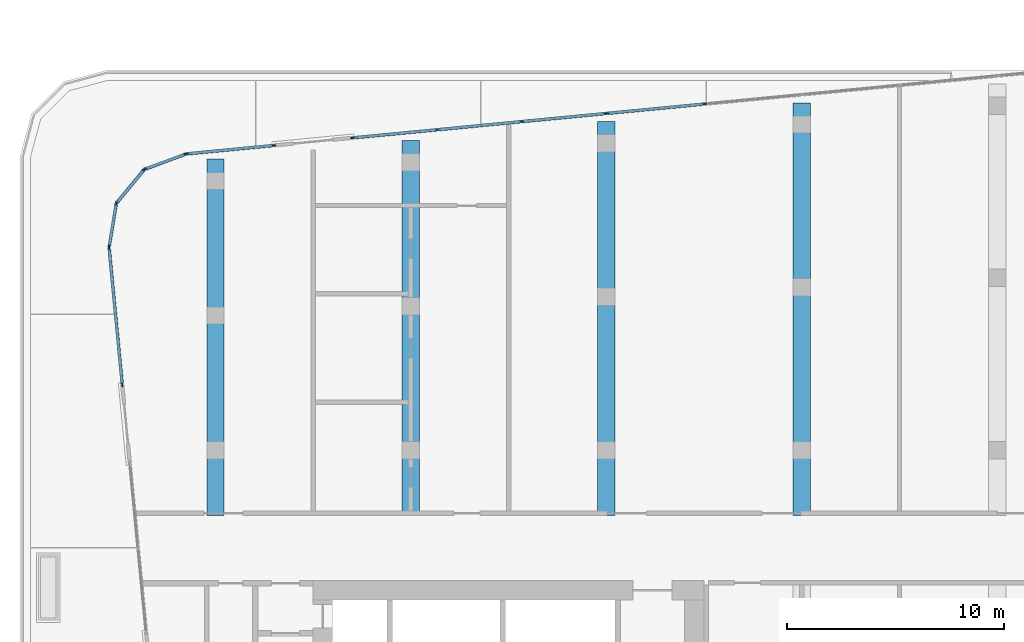
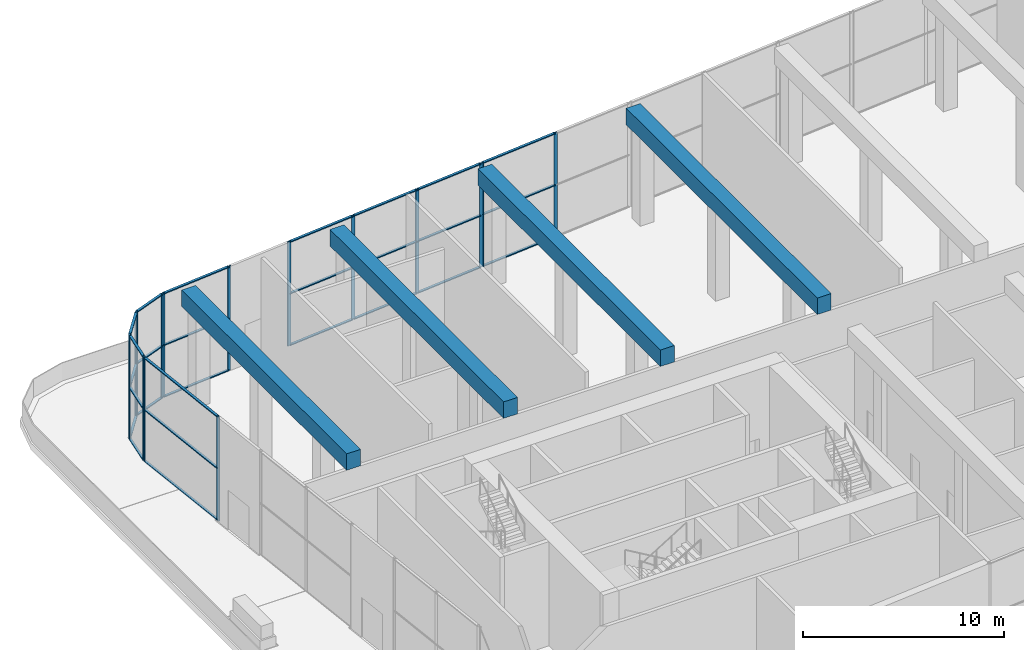
# One storey, part 5 of 25: 43 members, 4 beams, 7 elements without a shape of their own.
"""IFC4 building model written with IfcOpenShell, lengths in metres."""

from ifc_helpers import new_model, si_unit, direction, frame, origin, origin_2d, place, context, subcontext, project, spatial, rectangle, extrude, material, material_profile, profile_set, type_object, element, aggregate, save


model = new_model("IFC4")

# Units and contexts
model_context = context("Model", 3, precision=1e-05, world=origin(), true_north=direction((0.0, 1.0)))
body_context = subcontext(model_context, "Body", "Model", "MODEL_VIEW")
ifc_project = project(units=[si_unit("LENGTHUNIT", "METRE"), si_unit("AREAUNIT", "SQUARE_METRE"), si_unit("VOLUMEUNIT", "CUBIC_METRE"), si_unit("PLANEANGLEUNIT", "RADIAN"), si_unit("MASSUNIT", "GRAM", prefix="KILO")], contexts=[model_context])

# Site, building, storey
site_placement = place(None, origin())
site = spatial("IfcSite", under=ifc_project, at=site_placement, CompositionType="ELEMENT")
building_placement = place(site_placement, origin())
building = spatial("IfcBuilding", under=site, at=building_placement, Name="Kajstack Hotel Tower", CompositionType="ELEMENT")
storey_placement = place(building_placement, frame((0.0, 0.0, 104.199951171875)))
storey = spatial("IfcBuildingStorey", under=building, at=storey_placement, Name="L22", CompositionType="ELEMENT", Elevation=104.199951171875)

# Curtain wall, members
ifc_material_1 = material(Name="Aluminium-framed curtain wall, low-iron insulated glass", Category="aluminium")
curtain_wall_type = type_object("IfcCurtainWallType", Name="CW-GARDEN", PredefinedType="NOTDEFINED", material=ifc_material_1)
curtain_wall_1_placement = place(storey_placement, origin())
curtain_wall_1 = element("IfcCurtainWall", 1, at=curtain_wall_1_placement, inside=storey, type_object=curtain_wall_type, Name="Curtain wall CU6 L22-00-00-0", PredefinedType="NOTDEFINED")
ifc_material_2 = material(Name="Aluminium", Category="aluminium")
ifc_material_profile_1 = material_profile(ifc_material_2, rectangle(XDim=0.06005859375, YDim=0.199951171875, at=origin_2d()), Name="Aluminium mullion 60 x 200")
ifc_profile_set_1 = profile_set([ifc_material_profile_1], Name="Aluminium")
member_type_1 = type_object("IfcMemberType", Name="CW-M-GARDEN", PredefinedType="MULLION", material=ifc_profile_set_1)
member_1_placement = place(storey_placement, frame((-40.8994140625, 13.827392578125, 0.0), z_axis=(0.0, 0.0, 1.0), x_axis=(0.99539618336, 0.095845908373, 0.0)))
member_1 = element("IfcMember", 2, at=member_1_placement, type_object=member_type_1, Name="CU6 mullion 1", PredefinedType="MULLION", context=body_context, shape_type="SweptSolid", body=[
    extrude(rectangle(XDim=0.06005859375, YDim=0.199951171875, at=origin_2d()), origin(), (0.0, 0.0, 1.0), 6.320068359375),
])
member_2_placement = place(storey_placement, frame((-40.29296875, 7.52880859375, 0.0), z_axis=(0.0, 0.0, 1.0), x_axis=(0.99539618336, 0.095845908373, 0.0)))
member_2 = element("IfcMember", 3, at=member_2_placement, type_object=member_type_1, Name="CU6 mullion 2", PredefinedType="MULLION", context=body_context, shape_type="SweptSolid", body=[
    extrude(rectangle(XDim=0.06005859375, YDim=0.199951171875, at=origin_2d()), origin(), (0.0, 0.0, 1.0), 6.320068359375),
])

curtain_wall_2_placement = place(storey_placement, origin())
curtain_wall_2 = element("IfcCurtainWall", 4, at=curtain_wall_2_placement, inside=storey, type_object=curtain_wall_type, Name="Curtain wall CU6 L22-12-02-2", PredefinedType="NOTDEFINED")
member_3_placement = place(storey_placement, frame((-13.492919921875, 20.439697265625, 0.0), z_axis=(0.0, 0.0, 1.0), x_axis=(0.095845581657, -0.995396214819, 0.0)))
member_3 = element("IfcMember", 5, at=member_3_placement, type_object=member_type_1, Name="CU6 mullion 2", PredefinedType="MULLION", context=body_context, shape_type="SweptSolid", body=[
    extrude(rectangle(XDim=0.06005859375, YDim=0.199951171875, at=origin_2d()), origin(), (0.0, 0.0, 1.0), 6.320068359375),
])
member_4_placement = place(storey_placement, frame((-17.962890625, 20.00927734375, 0.0), z_axis=(0.0, 0.0, 1.0), x_axis=(0.095845581657, -0.995396214819, 0.0)))
member_4 = element("IfcMember", 6, at=member_4_placement, type_object=member_type_1, Name="CU6 mullion 3", PredefinedType="MULLION", context=body_context, shape_type="SweptSolid", body=[
    extrude(rectangle(XDim=0.06005859375, YDim=0.199951171875, at=origin_2d()), origin(), (0.0, 0.0, 1.0), 6.320068359375),
])

curtain_wall_3_placement = place(storey_placement, origin())
curtain_wall_3 = element("IfcCurtainWall", 7, at=curtain_wall_3_placement, inside=storey, type_object=curtain_wall_type, Name="Curtain wall CU6 L22-12-02-3", PredefinedType="NOTDEFINED")
member_5_placement = place(storey_placement, frame((-18.022705078125, 20.00341796875, 0.0), z_axis=(0.0, 0.0, 1.0), x_axis=(0.095845579329, -0.995396215044, 0.0)))
member_5 = element("IfcMember", 8, at=member_5_placement, type_object=member_type_1, Name="CU6 mullion 1", PredefinedType="MULLION", context=body_context, shape_type="SweptSolid", body=[
    extrude(rectangle(XDim=0.06005859375, YDim=0.199951171875, at=origin_2d()), origin(), (0.0, 0.0, 1.0), 6.320068359375),
])
member_6_placement = place(storey_placement, frame((-21.8955078125, 19.630615234375, 0.0), z_axis=(0.0, 0.0, 1.0), x_axis=(0.095845579329, -0.995396215044, 0.0)))
member_6 = element("IfcMember", 9, at=member_6_placement, type_object=member_type_1, Name="CU6 mullion 2", PredefinedType="MULLION", context=body_context, shape_type="SweptSolid", body=[
    extrude(rectangle(XDim=0.06005859375, YDim=0.199951171875, at=origin_2d()), origin(), (0.0, 0.0, 1.0), 6.320068359375),
])
member_7_placement = place(storey_placement, frame((-25.79833984375, 19.2548828125, 0.0), z_axis=(0.0, 0.0, 1.0), x_axis=(0.095845579329, -0.995396215044, 0.0)))
member_7 = element("IfcMember", 10, at=member_7_placement, type_object=member_type_1, Name="CU6 mullion 3", PredefinedType="MULLION", context=body_context, shape_type="SweptSolid", body=[
    extrude(rectangle(XDim=0.06005859375, YDim=0.199951171875, at=origin_2d()), origin(), (0.0, 0.0, 1.0), 6.320068359375),
])
member_8_placement = place(storey_placement, frame((-29.671142578125, 18.8818359375, 0.0), z_axis=(0.0, 0.0, 1.0), x_axis=(0.095845579329, -0.995396215044, 0.0)))
member_8 = element("IfcMember", 11, at=member_8_placement, type_object=member_type_1, Name="CU6 mullion 4", PredefinedType="MULLION", context=body_context, shape_type="SweptSolid", body=[
    extrude(rectangle(XDim=0.06005859375, YDim=0.199951171875, at=origin_2d()), origin(), (0.0, 0.0, 1.0), 6.320068359375),
])

curtain_wall_4_placement = place(storey_placement, origin())
curtain_wall_4 = element("IfcCurtainWall", 12, at=curtain_wall_4_placement, inside=storey, type_object=curtain_wall_type, Name="Curtain wall CU6 L22-12-04-0", PredefinedType="NOTDEFINED")
member_9_placement = place(storey_placement, frame((-33.314453125, 18.531005859375, 0.0), z_axis=(0.0, 0.0, 1.0), x_axis=(0.095845588433, -0.995396214167, 0.0)))
member_9 = element("IfcMember", 13, at=member_9_placement, type_object=member_type_1, Name="CU6 mullion 1", PredefinedType="MULLION", context=body_context, shape_type="SweptSolid", body=[
    extrude(rectangle(XDim=0.06005859375, YDim=0.199951171875, at=origin_2d()), origin(), (0.0, 0.0, 1.0), 6.320068359375),
])
member_10_placement = place(storey_placement, frame((-37.341796875, 18.143310546875, 0.0), z_axis=(0.0, 0.0, 1.0), x_axis=(0.095845588433, -0.995396214167, 0.0)))
member_10 = element("IfcMember", 14, at=member_10_placement, type_object=member_type_1, Name="CU6 mullion 2", PredefinedType="MULLION", context=body_context, shape_type="SweptSolid", body=[
    extrude(rectangle(XDim=0.06005859375, YDim=0.199951171875, at=origin_2d()), origin(), (0.0, 0.0, 1.0), 6.320068359375),
])

curtain_wall_5_placement = place(storey_placement, origin())
curtain_wall_5 = element("IfcCurtainWall", 15, at=curtain_wall_5_placement, inside=storey, type_object=curtain_wall_type, Name="Curtain wall CU6 L22-13-00-0", PredefinedType="NOTDEFINED")
member_11_placement = place(storey_placement, frame((-37.380615234375, 18.13427734375, 0.0), z_axis=(0.0, 0.0, 1.0), x_axis=(0.350186476689, -0.936680004881, 0.0)))
member_11 = element("IfcMember", 16, at=member_11_placement, type_object=member_type_1, Name="CU6 mullion 1", PredefinedType="MULLION", context=body_context, shape_type="SweptSolid", body=[
    extrude(rectangle(XDim=0.06005859375, YDim=0.199951171875, at=origin_2d()), origin(), (0.0, 0.0, 1.0), 6.320068359375),
])
member_12_placement = place(storey_placement, frame((-39.263916015625, 17.43017578125, 0.0), z_axis=(0.0, 0.0, 1.0), x_axis=(0.350186476689, -0.936680004881, 0.0)))
member_12 = element("IfcMember", 17, at=member_12_placement, type_object=member_type_1, Name="CU6 mullion 2", PredefinedType="MULLION", context=body_context, shape_type="SweptSolid", body=[
    extrude(rectangle(XDim=0.06005859375, YDim=0.199951171875, at=origin_2d()), origin(), (0.0, 0.0, 1.0), 6.320068359375),
])

curtain_wall_6_placement = place(storey_placement, origin())
curtain_wall_6 = element("IfcCurtainWall", 18, at=curtain_wall_6_placement, inside=storey, type_object=curtain_wall_type, Name="Curtain wall CU6 L22-14-00-0", PredefinedType="NOTDEFINED")
member_13_placement = place(storey_placement, frame((-39.279541015625, 17.419189453125, 0.0), z_axis=(0.0, 0.0, 1.0), x_axis=(0.771634596978, -0.636066072627, 0.0)))
member_13 = element("IfcMember", 19, at=member_13_placement, type_object=member_type_1, Name="CU6 mullion 1", PredefinedType="MULLION", context=body_context, shape_type="SweptSolid", body=[
    extrude(rectangle(XDim=0.06005859375, YDim=0.199951171875, at=origin_2d()), origin(), (0.0, 0.0, 1.0), 6.320068359375),
])
member_14_placement = place(storey_placement, frame((-40.558349609375, 15.86767578125, 0.0), z_axis=(0.0, 0.0, 1.0), x_axis=(0.771634596978, -0.636066072627, 0.0)))
member_14 = element("IfcMember", 20, at=member_14_placement, type_object=member_type_1, Name="CU6 mullion 2", PredefinedType="MULLION", context=body_context, shape_type="SweptSolid", body=[
    extrude(rectangle(XDim=0.06005859375, YDim=0.199951171875, at=origin_2d()), origin(), (0.0, 0.0, 1.0), 6.320068359375),
])

curtain_wall_7_placement = place(storey_placement, origin())
curtain_wall_7 = element("IfcCurtainWall", 21, at=curtain_wall_7_placement, inside=storey, type_object=curtain_wall_type, Name="Curtain wall CU6 L22-15-00-0", PredefinedType="NOTDEFINED")
member_15_placement = place(storey_placement, frame((-40.566162109375, 15.850341796875, 0.0), z_axis=(0.0, 0.0, 1.0), x_axis=(0.986289302298, -0.165025489464, 0.0)))
member_15 = element("IfcMember", 22, at=member_15_placement, type_object=member_type_1, Name="CU6 mullion 1", PredefinedType="MULLION", context=body_context, shape_type="SweptSolid", body=[
    extrude(rectangle(XDim=0.06005859375, YDim=0.199951171875, at=origin_2d()), origin(), (0.0, 0.0, 1.0), 6.320068359375),
])
member_16_placement = place(storey_placement, frame((-40.898193359375, 13.867431640625, 0.0), z_axis=(0.0, 0.0, 1.0), x_axis=(0.986289302298, -0.165025489464, 0.0)))
member_16 = element("IfcMember", 23, at=member_16_placement, type_object=member_type_1, Name="CU6 mullion 2", PredefinedType="MULLION", context=body_context, shape_type="SweptSolid", body=[
    extrude(rectangle(XDim=0.06005859375, YDim=0.199951171875, at=origin_2d()), origin(), (0.0, 0.0, 1.0), 6.320068359375),
])

# Member
ifc_material_profile_2 = material_profile(ifc_material_2, rectangle(XDim=0.139892578125, YDim=0.06005859375, at=origin_2d()), Name="Aluminium transom 140 x 60")
ifc_profile_set_2 = profile_set([ifc_material_profile_2], Name="Aluminium")
member_type_2 = type_object("IfcMemberType", Name="CW-T-GARDEN", PredefinedType="USERDEFINED", material=ifc_profile_set_2)
member_17_placement = place(storey_placement, frame((-40.896484375, 13.797607421875, 0.030029296875), z_axis=(0.095820025093, -0.995398675301, 0.0), x_axis=(0.995398675301, 0.095820025093, 0.0)))
member_17 = element("IfcMember", 24, at=member_17_placement, type_object=member_type_2, Name="CU6 transom 1.1", ObjectType="TRANSOM", PredefinedType="USERDEFINED", context=body_context, shape_type="SweptSolid", body=[
    extrude(rectangle(XDim=0.139892578125, YDim=0.06005859375, at=origin_2d()), origin(), (0.0, 0.0, 1.0), 6.267822265625),
])

member_18_placement = place(storey_placement, frame((-40.896484375, 13.797607421875, 3.16015625), z_axis=(0.095820025093, -0.995398675301, 0.0), x_axis=(0.995398675301, 0.095820025093, 0.0)))
member_18 = element("IfcMember", 25, at=member_18_placement, type_object=member_type_2, Name="CU6 transom 1.2", ObjectType="TRANSOM", PredefinedType="USERDEFINED", context=body_context, shape_type="SweptSolid", body=[
    extrude(rectangle(XDim=0.139892578125, YDim=0.06005859375, at=origin_2d()), origin(), (0.0, 0.0, 1.0), 6.267822265625),
])

member_19_placement = place(storey_placement, frame((-40.896484375, 13.797607421875, 6.2900390625), z_axis=(0.095820025093, -0.995398675301, 0.0), x_axis=(0.995398675301, 0.095820025093, 0.0)))
member_19 = element("IfcMember", 26, at=member_19_placement, type_object=member_type_2, Name="CU6 transom 1.3", ObjectType="TRANSOM", PredefinedType="USERDEFINED", context=body_context, shape_type="SweptSolid", body=[
    extrude(rectangle(XDim=0.139892578125, YDim=0.06005859375, at=origin_2d()), origin(), (0.0, 0.0, 1.0), 6.267822265625),
])

aggregate(curtain_wall_1, [member_1, member_2, member_17, member_18, member_19])

member_20_placement = place(storey_placement, frame((-13.522705078125, 20.436767578125, 0.030029296875), z_axis=(-0.995398624916, -0.095820548504, 0.0), x_axis=(0.095820548504, -0.995398624916, 0.0)))
member_20 = element("IfcMember", 27, at=member_20_placement, type_object=member_type_2, Name="CU6 transom 2.1", ObjectType="TRANSOM", PredefinedType="USERDEFINED", context=body_context, shape_type="SweptSolid", body=[
    extrude(rectangle(XDim=0.139892578125, YDim=0.06005859375, at=origin_2d()), origin(), (0.0, 0.0, 1.0), 4.430908203125),
])

member_21_placement = place(storey_placement, frame((-13.522705078125, 20.436767578125, 3.16015625), z_axis=(-0.995398624916, -0.095820548504, 0.0), x_axis=(0.095820548504, -0.995398624916, 0.0)))
member_21 = element("IfcMember", 28, at=member_21_placement, type_object=member_type_2, Name="CU6 transom 2.2", ObjectType="TRANSOM", PredefinedType="USERDEFINED", context=body_context, shape_type="SweptSolid", body=[
    extrude(rectangle(XDim=0.139892578125, YDim=0.06005859375, at=origin_2d()), origin(), (0.0, 0.0, 1.0), 4.430908203125),
])

member_22_placement = place(storey_placement, frame((-13.522705078125, 20.436767578125, 6.2900390625), z_axis=(-0.995398624916, -0.095820548504, 0.0), x_axis=(0.095820548504, -0.995398624916, 0.0)))
member_22 = element("IfcMember", 29, at=member_22_placement, type_object=member_type_2, Name="CU6 transom 2.3", ObjectType="TRANSOM", PredefinedType="USERDEFINED", context=body_context, shape_type="SweptSolid", body=[
    extrude(rectangle(XDim=0.139892578125, YDim=0.06005859375, at=origin_2d()), origin(), (0.0, 0.0, 1.0), 4.430908203125),
])

aggregate(curtain_wall_2, [member_3, member_4, member_20, member_21, member_22])

member_23_placement = place(storey_placement, frame((-18.052490234375, 20.000732421875, 0.030029296875), z_axis=(-0.995395825307, -0.095849626817, 0.0), x_axis=(0.095849626817, -0.995395825307, 0.0)))
member_23 = element("IfcMember", 30, at=member_23_placement, type_object=member_type_2, Name="CU6 transom 1.1", ObjectType="TRANSOM", PredefinedType="USERDEFINED", context=body_context, shape_type="SweptSolid", body=[
    extrude(rectangle(XDim=0.139892578125, YDim=0.06005859375, at=origin_2d()), origin(), (0.0, 0.0, 1.0), 3.830810546875),
])

member_24_placement = place(storey_placement, frame((-18.052490234375, 20.000732421875, 3.16015625), z_axis=(-0.995395825307, -0.095849626817, 0.0), x_axis=(0.095849626817, -0.995395825307, 0.0)))
member_24 = element("IfcMember", 31, at=member_24_placement, type_object=member_type_2, Name="CU6 transom 1.2", ObjectType="TRANSOM", PredefinedType="USERDEFINED", context=body_context, shape_type="SweptSolid", body=[
    extrude(rectangle(XDim=0.139892578125, YDim=0.06005859375, at=origin_2d()), origin(), (0.0, 0.0, 1.0), 3.830810546875),
])

member_25_placement = place(storey_placement, frame((-18.052490234375, 20.000732421875, 6.2900390625), z_axis=(-0.995395825307, -0.095849626817, 0.0), x_axis=(0.095849626817, -0.995395825307, 0.0)))
member_25 = element("IfcMember", 32, at=member_25_placement, type_object=member_type_2, Name="CU6 transom 1.3", ObjectType="TRANSOM", PredefinedType="USERDEFINED", context=body_context, shape_type="SweptSolid", body=[
    extrude(rectangle(XDim=0.139892578125, YDim=0.06005859375, at=origin_2d()), origin(), (0.0, 0.0, 1.0), 3.830810546875),
])

member_26_placement = place(storey_placement, frame((-21.925537109375, 19.627685546875, 0.030029296875), z_axis=(-0.99540033553, -0.095802776719, 0.0), x_axis=(0.095802776719, -0.99540033553, 0.0)))
member_26 = element("IfcMember", 33, at=member_26_placement, type_object=member_type_2, Name="CU6 transom 2.1", ObjectType="TRANSOM", PredefinedType="USERDEFINED", context=body_context, shape_type="SweptSolid", body=[
    extrude(rectangle(XDim=0.139892578125, YDim=0.06005859375, at=origin_2d()), origin(), (0.0, 0.0, 1.0), 3.86083984375),
])

member_27_placement = place(storey_placement, frame((-21.925537109375, 19.627685546875, 3.16015625), z_axis=(-0.99540033553, -0.095802776719, 0.0), x_axis=(0.095802776719, -0.99540033553, 0.0)))
member_27 = element("IfcMember", 34, at=member_27_placement, type_object=member_type_2, Name="CU6 transom 2.2", ObjectType="TRANSOM", PredefinedType="USERDEFINED", context=body_context, shape_type="SweptSolid", body=[
    extrude(rectangle(XDim=0.139892578125, YDim=0.06005859375, at=origin_2d()), origin(), (0.0, 0.0, 1.0), 3.86083984375),
])

member_28_placement = place(storey_placement, frame((-21.925537109375, 19.627685546875, 6.2900390625), z_axis=(-0.99540033553, -0.095802776719, 0.0), x_axis=(0.095802776719, -0.99540033553, 0.0)))
member_28 = element("IfcMember", 35, at=member_28_placement, type_object=member_type_2, Name="CU6 transom 2.3", ObjectType="TRANSOM", PredefinedType="USERDEFINED", context=body_context, shape_type="SweptSolid", body=[
    extrude(rectangle(XDim=0.139892578125, YDim=0.06005859375, at=origin_2d()), origin(), (0.0, 0.0, 1.0), 3.86083984375),
])

member_29_placement = place(storey_placement, frame((-25.828125, 19.251953125, 0.030029296875), z_axis=(-0.995395825307, -0.095849626817, 0.0), x_axis=(0.095849626817, -0.995395825307, 0.0)))
member_29 = element("IfcMember", 36, at=member_29_placement, type_object=member_type_2, Name="CU6 transom 3.1", ObjectType="TRANSOM", PredefinedType="USERDEFINED", context=body_context, shape_type="SweptSolid", body=[
    extrude(rectangle(XDim=0.139892578125, YDim=0.06005859375, at=origin_2d()), origin(), (0.0, 0.0, 1.0), 3.830810546875),
])

member_30_placement = place(storey_placement, frame((-25.828125, 19.251953125, 3.16015625), z_axis=(-0.995395825307, -0.095849626817, 0.0), x_axis=(0.095849626817, -0.995395825307, 0.0)))
member_30 = element("IfcMember", 37, at=member_30_placement, type_object=member_type_2, Name="CU6 transom 3.2", ObjectType="TRANSOM", PredefinedType="USERDEFINED", context=body_context, shape_type="SweptSolid", body=[
    extrude(rectangle(XDim=0.139892578125, YDim=0.06005859375, at=origin_2d()), origin(), (0.0, 0.0, 1.0), 3.830810546875),
])

member_31_placement = place(storey_placement, frame((-25.828125, 19.251953125, 6.2900390625), z_axis=(-0.995395825307, -0.095849626817, 0.0), x_axis=(0.095849626817, -0.995395825307, 0.0)))
member_31 = element("IfcMember", 38, at=member_31_placement, type_object=member_type_2, Name="CU6 transom 3.3", ObjectType="TRANSOM", PredefinedType="USERDEFINED", context=body_context, shape_type="SweptSolid", body=[
    extrude(rectangle(XDim=0.139892578125, YDim=0.06005859375, at=origin_2d()), origin(), (0.0, 0.0, 1.0), 3.830810546875),
])

aggregate(curtain_wall_3, [member_5, member_6, member_7, member_8, member_23, member_24, member_25, member_26, member_27, member_28, member_29, member_30, member_31])

member_32_placement = place(storey_placement, frame((-33.34423828125, 18.5283203125, 0.030029296875), z_axis=(-0.995394990536, -0.095858295501, 0.0), x_axis=(0.095858295501, -0.995394990536, 0.0)))
member_32 = element("IfcMember", 39, at=member_32_placement, type_object=member_type_2, Name="CU6 transom 1.1", ObjectType="TRANSOM", PredefinedType="USERDEFINED", context=body_context, shape_type="SweptSolid", body=[
    extrude(rectangle(XDim=0.139892578125, YDim=0.06005859375, at=origin_2d()), origin(), (0.0, 0.0, 1.0), 3.98583984375),
])

member_33_placement = place(storey_placement, frame((-33.34423828125, 18.5283203125, 3.16015625), z_axis=(-0.995394990536, -0.095858295501, 0.0), x_axis=(0.095858295501, -0.995394990536, 0.0)))
member_33 = element("IfcMember", 40, at=member_33_placement, type_object=member_type_2, Name="CU6 transom 1.2", ObjectType="TRANSOM", PredefinedType="USERDEFINED", context=body_context, shape_type="SweptSolid", body=[
    extrude(rectangle(XDim=0.139892578125, YDim=0.06005859375, at=origin_2d()), origin(), (0.0, 0.0, 1.0), 3.98583984375),
])

member_34_placement = place(storey_placement, frame((-33.34423828125, 18.5283203125, 6.2900390625), z_axis=(-0.995394990536, -0.095858295501, 0.0), x_axis=(0.095858295501, -0.995394990536, 0.0)))
member_34 = element("IfcMember", 41, at=member_34_placement, type_object=member_type_2, Name="CU6 transom 1.3", ObjectType="TRANSOM", PredefinedType="USERDEFINED", context=body_context, shape_type="SweptSolid", body=[
    extrude(rectangle(XDim=0.139892578125, YDim=0.06005859375, at=origin_2d()), origin(), (0.0, 0.0, 1.0), 3.98583984375),
])

aggregate(curtain_wall_4, [member_9, member_10, member_32, member_33, member_34])

member_35_placement = place(storey_placement, frame((-37.40869140625, 18.123779296875, 0.030029296875), z_axis=(-0.936678468154, -0.350190587105, 0.0), x_axis=(0.350190587105, -0.936678468154, 0.0)))
member_35 = element("IfcMember", 42, at=member_35_placement, type_object=member_type_2, Name="CU6 transom 1.1", ObjectType="TRANSOM", PredefinedType="USERDEFINED", context=body_context, shape_type="SweptSolid", body=[
    extrude(rectangle(XDim=0.139892578125, YDim=0.06005859375, at=origin_2d()), origin(), (0.0, 0.0, 1.0), 1.95068359375),
])

member_36_placement = place(storey_placement, frame((-37.40869140625, 18.123779296875, 3.16015625), z_axis=(-0.936678468154, -0.350190587105, 0.0), x_axis=(0.350190587105, -0.936678468154, 0.0)))
member_36 = element("IfcMember", 43, at=member_36_placement, type_object=member_type_2, Name="CU6 transom 1.2", ObjectType="TRANSOM", PredefinedType="USERDEFINED", context=body_context, shape_type="SweptSolid", body=[
    extrude(rectangle(XDim=0.139892578125, YDim=0.06005859375, at=origin_2d()), origin(), (0.0, 0.0, 1.0), 1.95068359375),
])

member_37_placement = place(storey_placement, frame((-37.40869140625, 18.123779296875, 6.2900390625), z_axis=(-0.936678468154, -0.350190587105, 0.0), x_axis=(0.350190587105, -0.936678468154, 0.0)))
member_37 = element("IfcMember", 44, at=member_37_placement, type_object=member_type_2, Name="CU6 transom 1.3", ObjectType="TRANSOM", PredefinedType="USERDEFINED", context=body_context, shape_type="SweptSolid", body=[
    extrude(rectangle(XDim=0.139892578125, YDim=0.06005859375, at=origin_2d()), origin(), (0.0, 0.0, 1.0), 1.95068359375),
])

aggregate(curtain_wall_5, [member_11, member_12, member_35, member_36, member_37])

member_38_placement = place(storey_placement, frame((-39.298583984375, 17.39599609375, 0.030029296875), z_axis=(-0.636075700037, -0.771626660907, 0.0), x_axis=(0.771626660907, -0.636075700037, 0.0)))
member_38 = element("IfcMember", 45, at=member_38_placement, type_object=member_type_2, Name="CU6 transom 1.1", ObjectType="TRANSOM", PredefinedType="USERDEFINED", context=body_context, shape_type="SweptSolid", body=[
    extrude(rectangle(XDim=0.139892578125, YDim=0.06005859375, at=origin_2d()), origin(), (0.0, 0.0, 1.0), 1.95068359375),
])

member_39_placement = place(storey_placement, frame((-39.298583984375, 17.39599609375, 3.16015625), z_axis=(-0.636075700037, -0.771626660907, 0.0), x_axis=(0.771626660907, -0.636075700037, 0.0)))
member_39 = element("IfcMember", 46, at=member_39_placement, type_object=member_type_2, Name="CU6 transom 1.2", ObjectType="TRANSOM", PredefinedType="USERDEFINED", context=body_context, shape_type="SweptSolid", body=[
    extrude(rectangle(XDim=0.139892578125, YDim=0.06005859375, at=origin_2d()), origin(), (0.0, 0.0, 1.0), 1.95068359375),
])

member_40_placement = place(storey_placement, frame((-39.298583984375, 17.39599609375, 6.2900390625), z_axis=(-0.636075700037, -0.771626660907, 0.0), x_axis=(0.771626660907, -0.636075700037, 0.0)))
member_40 = element("IfcMember", 47, at=member_40_placement, type_object=member_type_2, Name="CU6 transom 1.3", ObjectType="TRANSOM", PredefinedType="USERDEFINED", context=body_context, shape_type="SweptSolid", body=[
    extrude(rectangle(XDim=0.139892578125, YDim=0.06005859375, at=origin_2d()), origin(), (0.0, 0.0, 1.0), 1.95068359375),
])

aggregate(curtain_wall_6, [member_13, member_14, member_38, member_39, member_40])

member_41_placement = place(storey_placement, frame((-40.5712890625, 15.82080078125, 0.030029296875), z_axis=(-0.164967276108, -0.986299040765, 0.0), x_axis=(0.986299040765, -0.164967276108, 0.0)))
member_41 = element("IfcMember", 48, at=member_41_placement, type_object=member_type_2, Name="CU6 transom 1.1", ObjectType="TRANSOM", PredefinedType="USERDEFINED", context=body_context, shape_type="SweptSolid", body=[
    extrude(rectangle(XDim=0.139892578125, YDim=0.06005859375, at=origin_2d()), origin(), (0.0, 0.0, 1.0), 1.950439453125),
])

member_42_placement = place(storey_placement, frame((-40.5712890625, 15.82080078125, 3.16015625), z_axis=(-0.164967276108, -0.986299040765, 0.0), x_axis=(0.986299040765, -0.164967276108, 0.0)))
member_42 = element("IfcMember", 49, at=member_42_placement, type_object=member_type_2, Name="CU6 transom 1.2", ObjectType="TRANSOM", PredefinedType="USERDEFINED", context=body_context, shape_type="SweptSolid", body=[
    extrude(rectangle(XDim=0.139892578125, YDim=0.06005859375, at=origin_2d()), origin(), (0.0, 0.0, 1.0), 1.950439453125),
])

member_43_placement = place(storey_placement, frame((-40.5712890625, 15.82080078125, 6.2900390625), z_axis=(-0.164967276108, -0.986299040765, 0.0), x_axis=(0.986299040765, -0.164967276108, 0.0)))
member_43 = element("IfcMember", 50, at=member_43_placement, type_object=member_type_2, Name="CU6 transom 1.3", ObjectType="TRANSOM", PredefinedType="USERDEFINED", context=body_context, shape_type="SweptSolid", body=[
    extrude(rectangle(XDim=0.139892578125, YDim=0.06005859375, at=origin_2d()), origin(), (0.0, 0.0, 1.0), 1.950439453125),
])

aggregate(curtain_wall_7, [member_15, member_16, member_41, member_42, member_43])

# Beams
ifc_material_3 = material(Name="Concrete C60/75", Category="concrete")
ifc_material_profile_3 = material_profile(ifc_material_3, rectangle(XDim=0.800048828125, YDim=1.0, at=origin_2d()), Name="RC 800x1000")
ifc_profile_set_3 = profile_set([ifc_material_profile_3], Name="Concrete C60/75")
beam_type = type_object("IfcBeamType", Name="TG2 RC 800x1000 C60/75", PredefinedType="BEAM", material=ifc_profile_set_3)
beam_1_placement = place(storey_placement, frame((-36.0, 1.5, 5.820068359375), z_axis=(0.0, 1.0, 0.0), x_axis=(-1.0, 0.0, 0.0)))
element("IfcBeam", 51, at=beam_1_placement, inside=storey, type_object=beam_type, Name="S-girder-L22--36p0-1", PredefinedType="BEAM", context=body_context, shape_type="SweptSolid", body=[
    extrude(rectangle(XDim=0.800048828125, YDim=1.0, at=origin_2d()), origin(), (0.0, 0.0, 1.0), 16.395751953125),
])
beam_2_placement = place(storey_placement, frame((-27.0, 1.5, 5.820068359375), z_axis=(0.0, 1.0, 0.0), x_axis=(-1.0, 0.0, 0.0)))
element("IfcBeam", 52, at=beam_2_placement, inside=storey, type_object=beam_type, Name="S-girder-L22--27p0-1", PredefinedType="BEAM", context=body_context, shape_type="SweptSolid", body=[
    extrude(rectangle(XDim=0.800048828125, YDim=1.0, at=origin_2d()), origin(), (0.0, 0.0, 1.0), 17.262451171875),
])
beam_3_placement = place(storey_placement, frame((-18.0, 1.5, 5.820068359375), z_axis=(0.0, 1.0, 0.0), x_axis=(-1.0, 0.0, 0.0)))
element("IfcBeam", 53, at=beam_3_placement, inside=storey, type_object=beam_type, Name="S-girder-L22--18p0-1", PredefinedType="BEAM", context=body_context, shape_type="SweptSolid", body=[
    extrude(rectangle(XDim=0.800048828125, YDim=1.0, at=origin_2d()), origin(), (0.0, 0.0, 1.0), 18.12890625),
])
beam_4_placement = place(storey_placement, frame((-9.0, 1.5, 5.820068359375), z_axis=(0.0, 1.0, 0.0), x_axis=(-1.0, 0.0, 0.0)))
element("IfcBeam", 54, at=beam_4_placement, inside=storey, type_object=beam_type, Name="S-girder-L22--9p0-2", PredefinedType="BEAM", context=body_context, shape_type="SweptSolid", body=[
    extrude(rectangle(XDim=0.800048828125, YDim=1.0, at=origin_2d()), origin(), (0.0, 0.0, 1.0), 18.99560546875),
])

save(model, "model.ifc")
